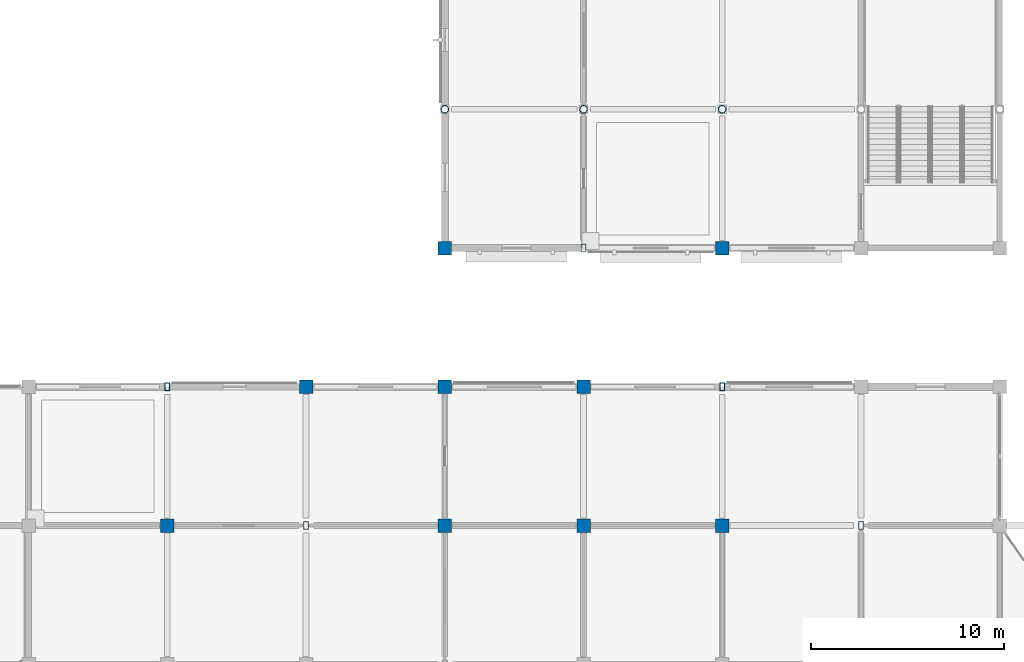
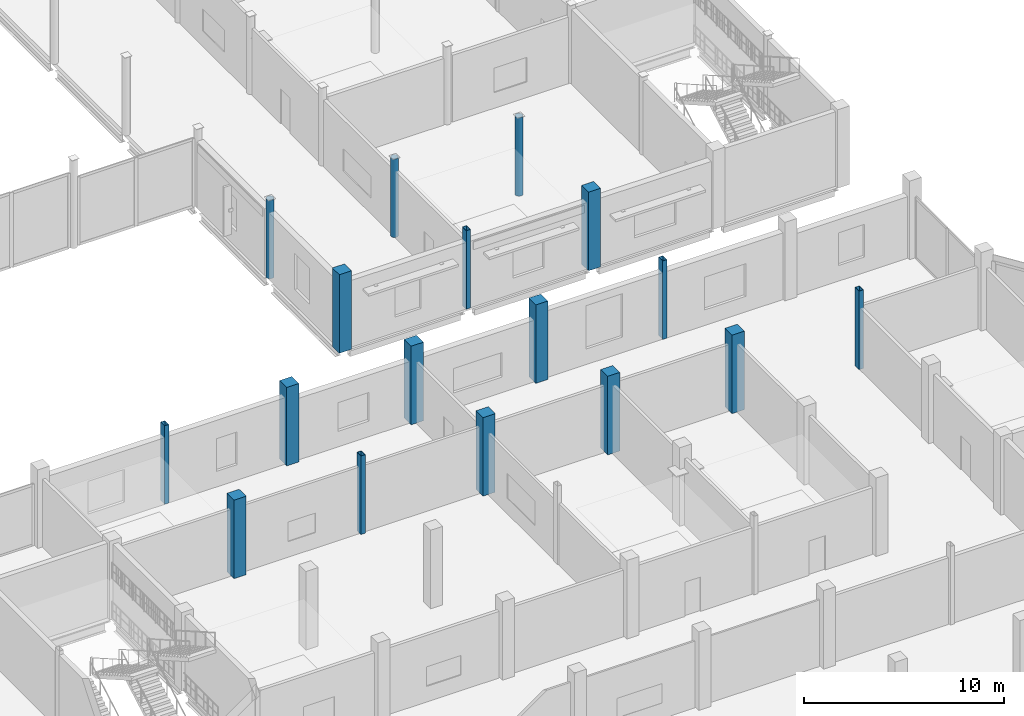
# One storey, part 13 of 120: 17 columns.
"""IFC4 building model written with IfcOpenShell, lengths in metres."""

from ifc_helpers import new_model, si_unit, direction, frame, origin, origin_2d, place, context, subcontext, project, spatial, rectangle, hollow_rectangle, hollow_circle, extrude, material, material_profile, profile_set, type_object, element, save


model = new_model("IFC4")

# Units and contexts
model_context = context("Model", 3, precision=1e-05, world=origin(), true_north=direction((0.0, 1.0)))
body_context = subcontext(model_context, "Body", "Model", "MODEL_VIEW")
ifc_project = project(units=[si_unit("LENGTHUNIT", "METRE"), si_unit("AREAUNIT", "SQUARE_METRE"), si_unit("VOLUMEUNIT", "CUBIC_METRE"), si_unit("PLANEANGLEUNIT", "RADIAN"), si_unit("MASSUNIT", "GRAM", prefix="KILO")], contexts=[model_context])

# Site, building, storey
site_placement = place(None, origin())
site = spatial("IfcSite", under=ifc_project, at=site_placement, CompositionType="ELEMENT")
building_placement = place(site_placement, origin())
building = spatial("IfcBuilding", under=site, at=building_placement, Name="Vesperath Aquatics Centre", CompositionType="ELEMENT")
storey_placement = place(building_placement, frame((0.0, 0.0, 10.199951171875)))
storey = spatial("IfcBuildingStorey", under=building, at=storey_placement, Name="L02", CompositionType="ELEMENT", Elevation=10.199951171875)

# Columns
ifc_material_1 = material(Name="Concrete C40", Category="concrete")
ifc_material_profile_1 = material_profile(ifc_material_1, rectangle(XDim=0.699951171875, YDim=0.699951171875, at=origin_2d()), Name="RC 700x700")
ifc_profile_set_1 = profile_set([ifc_material_profile_1], Name="Concrete C40")
column_type_1 = type_object("IfcColumnType", Name="CL-C05", PredefinedType="COLUMN", material=ifc_profile_set_1)
for number, where, z_axis, x_axis, name in (
    (1, (129.60009765625, 36.0, 0.0), (0.0, 0.0, 1.0), (1.0, 0.0, 0.0), "Column C05 L02 19/F"),
    (2, (136.800048828125, 43.199951171875, 0.0), (0.0, 0.0, 1.0), (1.0, 0.0, 0.0), "Column C05 L02 20/G"),
    (3, (144.0, 36.0, 0.0), (0.0, 0.0, 1.0), (1.0, 0.0, 0.0), "Column C05 L02 21/F"),
    (4, (144.0, 43.199951171875, 0.0), (0.0, 0.0, 1.0), (1.0, 0.0, 0.0), "Column C05 L02 21/G"),
    (5, (144.0, 50.39990234375, 0.0), (0.0, 0.0, 1.0), (1.0, 0.0, 0.0), "Column C05 L02 21/H"),
    (6, (151.199951171875, 36.0, 0.0), (0.0, 0.0, 1.0), (1.0, 0.0, 0.0), "Column C05 L02 22/F"),
    (7, (151.199951171875, 43.199951171875, 0.0), (0.0, 0.0, 1.0), (1.0, 0.0, 0.0), "Column C05 L02 22/G"),
    (8, (158.39990234375, 36.0, 0.0), (0.0, 0.0, 1.0), (1.0, 0.0, 0.0), "Column C05 L02 23/F"),
    (9, (158.39990234375, 50.39990234375, 0.0), (0.0, 0.0, 1.0), (1.0, 0.0, 0.0), "Column C05 L02 23/H"),
):
    element("IfcColumn", number, at=place(storey_placement, frame(where, z_axis=z_axis, x_axis=x_axis)), inside=storey, type_object=column_type_1, Name=name, PredefinedType="COLUMN", context=body_context, shape_type="SweptSolid", body=[
        extrude(rectangle(XDim=0.699951171875, YDim=0.699951171875, at=origin_2d()), origin(), (0.0, 0.0, 1.0), 4.800048828125),
    ])
ifc_material_2 = material(Name="Steel Q355D", Category="steel")
ifc_material_profile_2 = material_profile(ifc_material_2, hollow_circle(Radius=0.203125, WallThickness=0.01611328125, at=origin_2d()), Name="CHS 406.4x16")
ifc_profile_set_2 = profile_set([ifc_material_profile_2], Name="Steel Q355D")
column_type_2 = type_object("IfcColumnType", Name="CL-C14", PredefinedType="COLUMN", material=ifc_profile_set_2)
for number, where, z_axis, x_axis, name in (
    (10, (144.0, 57.60009765625, 0.0), (0.0, 0.0, 1.0), (1.0, 0.0, 0.0), "Column C14 L02 21/J"),
    (11, (151.199951171875, 57.60009765625, 0.0), (0.0, 0.0, 1.0), (1.0, 0.0, 0.0), "Column C14 L02 22/J"),
    (12, (158.39990234375, 57.60009765625, 0.0), (0.0, 0.0, 1.0), (1.0, 0.0, 0.0), "Column C14 L02 23/J"),
):
    element("IfcColumn", number, at=place(storey_placement, frame(where, z_axis=z_axis, x_axis=x_axis)), inside=storey, type_object=column_type_2, Name=name, PredefinedType="COLUMN", context=body_context, shape_type="SweptSolid", body=[
        extrude(hollow_circle(Radius=0.203125, WallThickness=0.01611328125, at=origin_2d()), origin(), (0.0, 0.0, 1.0), 4.800048828125),
    ])
ifc_material_profile_3 = material_profile(ifc_material_2, hollow_rectangle(XDim=0.25, YDim=0.39990234375, WallThickness=0.013916015625, at=origin_2d()), Name="RHS 400x250x14")
ifc_profile_set_3 = profile_set([ifc_material_profile_3], Name="Steel Q355D")
column_type_3 = type_object("IfcColumnType", Name="CL-C15", PredefinedType="COLUMN", material=ifc_profile_set_3)
for number, where, z_axis, x_axis, name in (
    (13, (129.60009765625, 43.199951171875, 0.0), (0.0, 0.0, 1.0), (1.0, 0.0, 0.0), "Column C15 L02 19/G"),
    (14, (136.800048828125, 36.0, 0.0), (0.0, 0.0, 1.0), (1.0, 0.0, 0.0), "Column C15 L02 20/F"),
    (15, (151.199951171875, 50.39990234375, 0.0), (0.0, 0.0, 1.0), (1.0, 0.0, 0.0), "Column C15 L02 22/H"),
    (16, (158.39990234375, 43.199951171875, 0.0), (0.0, 0.0, 1.0), (1.0, 0.0, 0.0), "Column C15 L02 23/G"),
    (17, (165.60009765625, 36.0, 0.0), (0.0, 0.0, 1.0), (1.0, 0.0, 0.0), "Column C15 L02 24/F"),
):
    element("IfcColumn", number, at=place(storey_placement, frame(where, z_axis=z_axis, x_axis=x_axis)), inside=storey, type_object=column_type_3, Name=name, PredefinedType="COLUMN", context=body_context, shape_type="SweptSolid", body=[
        extrude(hollow_rectangle(XDim=0.25, YDim=0.39990234375, WallThickness=0.013916015625, at=origin_2d()), origin(), (0.0, 0.0, 1.0), 4.800048828125),
    ])

save(model, "model.ifc")
